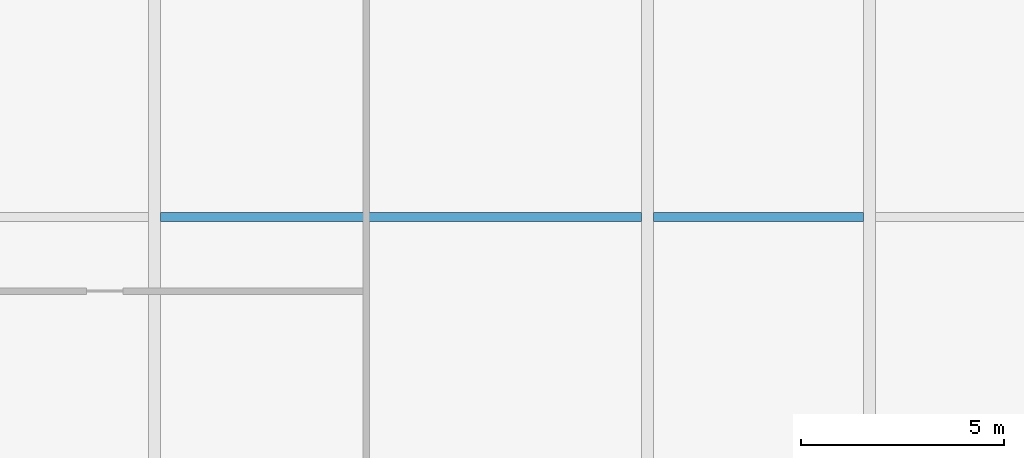
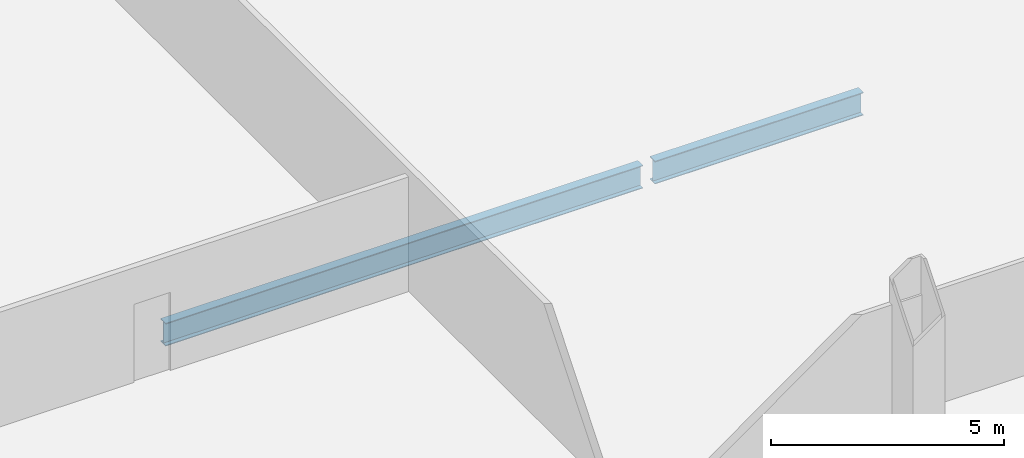
# One storey, part 13 of 36: 2 beams.
"""IFC4 building model written with IfcOpenShell, lengths in metres."""

from ifc_helpers import new_model, si_unit, direction, frame, origin, origin_2d, place, context, subcontext, project, spatial, i_section, extrude, material, material_profile, profile_set, type_object, element, save


model = new_model("IFC4")

# Units and contexts
model_context = context("Model", 3, precision=1e-05, world=origin(), true_north=direction((0.0, 1.0)))
body_context = subcontext(model_context, "Body", "Model", "MODEL_VIEW")
ifc_project = project(units=[si_unit("LENGTHUNIT", "METRE"), si_unit("AREAUNIT", "SQUARE_METRE"), si_unit("VOLUMEUNIT", "CUBIC_METRE"), si_unit("PLANEANGLEUNIT", "RADIAN"), si_unit("MASSUNIT", "GRAM", prefix="KILO")], contexts=[model_context])

# Site, building, storey
site_placement = place(None, origin())
site = spatial("IfcSite", under=ifc_project, at=site_placement, CompositionType="ELEMENT")
building_placement = place(site_placement, origin())
building = spatial("IfcBuilding", under=site, at=building_placement, Name="Khoronbel Lancet Exchange", CompositionType="ELEMENT")
storey_placement = place(building_placement, frame((0.0, 0.0, 49.800048828125)))
storey = spatial("IfcBuildingStorey", under=building, at=storey_placement, Name="L11", CompositionType="ELEMENT", Elevation=49.800048828125)

# Beams
ifc_material = material(Name="Steel S355", Category="steel")
ifc_material_profile = material_profile(ifc_material, i_section(OverallWidth=0.219970703125, OverallDepth=0.60009765625, WebThickness=0.011962890625, FlangeThickness=0.01904296875, at=origin_2d()), Name="IPE 600")
ifc_profile_set = profile_set([ifc_material_profile], Name="Steel S355")
beam_type = type_object("IfcBeamType", Name="BM-BJ1", PredefinedType="JOIST", material=ifc_profile_set)
beam_1_placement = place(storey_placement, frame((30.52490234375, 21.800048828125, -0.47998046875), z_axis=(1.0, 0.0, 0.0), x_axis=(0.0, 1.0, 0.0)))
element("IfcBeam", 1, at=beam_1_placement, inside=storey, type_object=beam_type, Name="Level L11 secondary composite joist J08", PredefinedType="JOIST", context=body_context, shape_type="SweptSolid", body=[
    extrude(i_section(OverallWidth=0.219970703125, OverallDepth=0.60009765625, WebThickness=0.011962890625, FlangeThickness=0.01904296875, at=origin_2d()), origin(), (0.0, 0.0, 1.0), 11.85009765625),
])
beam_2_placement = place(storey_placement, frame((42.675048828125, 21.800048828125, -0.47998046875), z_axis=(1.0, 0.0, 0.0), x_axis=(0.0, 1.0, 0.0)))
element("IfcBeam", 2, at=beam_2_placement, inside=storey, type_object=beam_type, Name="Level L11 secondary composite joist J09", PredefinedType="JOIST", context=body_context, shape_type="SweptSolid", body=[
    extrude(i_section(OverallWidth=0.219970703125, OverallDepth=0.60009765625, WebThickness=0.011962890625, FlangeThickness=0.01904296875, at=origin_2d()), origin(), (0.0, 0.0, 1.0), 5.175048828125),
])

save(model, "model.ifc")
